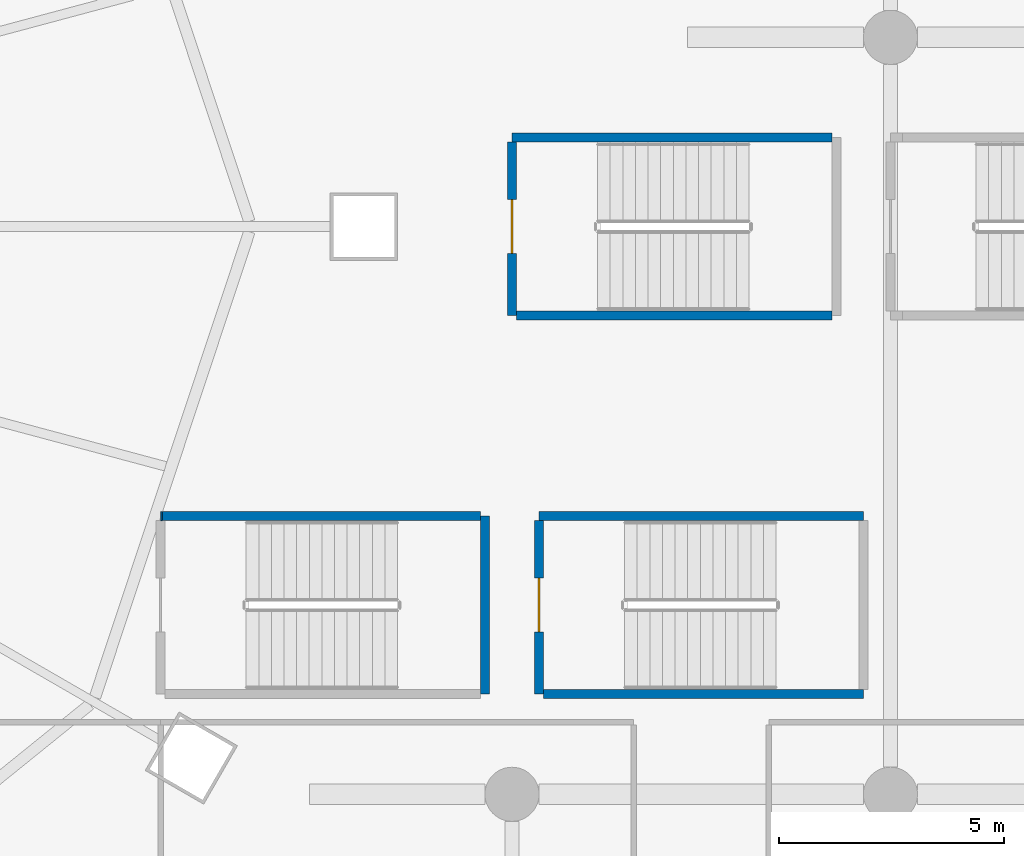
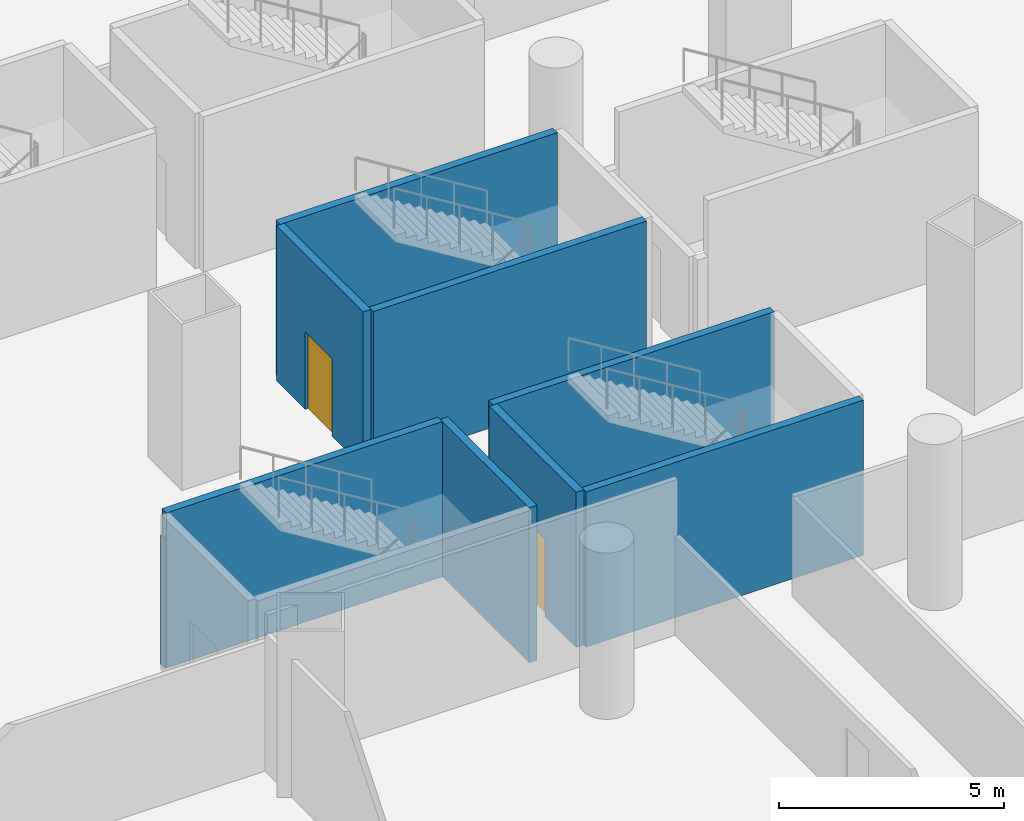
# One storey, part 29 of 43: 9 walls, 2 doors, 2 openings.
"""IFC4 building model written with IfcOpenShell, lengths in metres."""

from ifc_helpers import new_model, si_unit, direction, frame, frame_2d, origin, place, context, subcontext, project, spatial, rectangle, extrude, material, layer, layer_set, type_object, element, fill, save


model = new_model("IFC4")

# Units and contexts
model_context = context("Model", 3, precision=1e-05, world=origin(), true_north=direction((0.0, 1.0)))
body_context = subcontext(model_context, "Body", "Model", "MODEL_VIEW")
ifc_project = project(units=[si_unit("LENGTHUNIT", "METRE"), si_unit("AREAUNIT", "SQUARE_METRE"), si_unit("VOLUMEUNIT", "CUBIC_METRE"), si_unit("PLANEANGLEUNIT", "RADIAN"), si_unit("MASSUNIT", "GRAM", prefix="KILO")], contexts=[model_context])

# Site, building, storey
site_placement = place(None, origin())
site = spatial("IfcSite", under=ifc_project, at=site_placement, CompositionType="ELEMENT")
building_placement = place(site_placement, origin())
building = spatial("IfcBuilding", under=site, at=building_placement, Name="Rimbun Link Towers", CompositionType="ELEMENT")
storey_placement = place(building_placement, frame((0.0, 0.0, 12.0)))
storey = spatial("IfcBuildingStorey", under=building, at=storey_placement, Name="L02", CompositionType="ELEMENT", Elevation=12.0)

# Walls
ifc_material_1 = material(Name="Concrete C40/50", Category="concrete")
ifc_layer = layer(ifc_material_1, 0.199951171875)
ifc_layer_set = layer_set([ifc_layer], Name="Stair shaft wall 200")
wall_type = type_object("IfcWallType", Name="Stair shaft wall 200", PredefinedType="SOLIDWALL", material=ifc_layer_set)
wall_1_placement = place(storey_placement, frame((-4.800048828125, -10.375, 0.0), z_axis=(0.0, 0.0, 1.0), x_axis=(0.0, 1.0, 0.0)))
element("IfcWall", 1, at=wall_1_placement, inside=storey, type_object=wall_type, Name="PD/PW/L02/001", PredefinedType="SOLIDWALL", context=body_context, shape_type="SweptSolid", body=[
    extrude(rectangle(XDim=3.949951171875, YDim=0.199951171875, at=frame_2d((1.97509765625, 0.0))), origin(), (0.0, 0.0, 1.0), 4.199951171875),
])
wall_2_placement = place(storey_placement, frame((-4.89990234375, -6.425048828125, 0.0), z_axis=(0.0, 0.0, 1.0), x_axis=(-1.0, 0.0, 0.0)))
element("IfcWall", 2, at=wall_2_placement, inside=storey, type_object=wall_type, Name="PD/PW/L02/002", PredefinedType="SOLIDWALL", context=body_context, shape_type="SweptSolid", body=[
    extrude(rectangle(XDim=7.068359375, YDim=0.199951171875, at=frame_2d((3.5341796875, 0.0))), origin(), (0.0, 0.0, 1.0), 4.199951171875),
])
wall_3_placement = place(storey_placement, frame((-11.96826171875, -6.425048828125, 0.0), z_axis=(0.0, 0.0, 1.0), x_axis=(-1.0, 0.0, 0.0)))
element("IfcWall", 3, at=wall_3_placement, inside=storey, type_object=wall_type, Name="PD/PW/L02/002b", PredefinedType="SOLIDWALL", context=body_context, shape_type="SweptSolid", body=[
    extrude(rectangle(XDim=0.03173828125, YDim=0.199951171875, at=frame_2d((0.015869140625, 0.0))), origin(), (0.0, 0.0, 1.0), 3.49609375),
])
wall_4_placement = place(storey_placement, frame((3.60009765625, -6.425048828125, 0.0), z_axis=(0.0, 0.0, 1.0), x_axis=(-1.0, 0.0, 0.0)))
element("IfcWall", 4, at=wall_4_placement, inside=storey, type_object=wall_type, Name="PD/PW/L02/005", PredefinedType="SOLIDWALL", context=body_context, shape_type="SweptSolid", body=[
    extrude(rectangle(XDim=7.2001953125, YDim=0.199951171875, at=frame_2d((3.60009765625, 0.0))), origin(), (0.0, 0.0, 1.0), 4.199951171875),
])

# Wall, opening, door
wall_5_placement = place(storey_placement, frame((-3.60009765625, -6.52490234375, 0.0), z_axis=(0.0, 0.0, 1.0), x_axis=(0.0, -1.0, 0.0)))
wall_5 = element("IfcWall", 5, at=wall_5_placement, inside=storey, type_object=wall_type, Name="PD/PW/L02/006", PredefinedType="SOLIDWALL", context=body_context, shape_type="SweptSolid", body=[
    extrude(rectangle(XDim=3.85009765625, YDim=0.199951171875, at=frame_2d((1.925048828125, 0.0))), origin(), (0.0, 0.0, 1.0), 4.199951171875),
])
opening_1_placement = place(wall_5_placement, frame((1.27490234375, 0.0, 0.0)))
opening_1 = element("IfcOpeningElement", 6, at=opening_1_placement, cuts=wall_5, Name="Opening PD DS2", PredefinedType="OPENING", context=body_context, shape_type="SweptSolid", body=[
    extrude(rectangle(XDim=1.199951171875, YDim=2.10009765625, at=frame_2d((0.60009765625, 1.050048828125))), frame((0.0, 0.10986328125, 0.0), z_axis=(0.0, -1.0, 0.0), x_axis=(1.0, 0.0, 0.0)), (0.0, 0.0, 1.0), 0.219970703125),
])
ifc_material_2 = material(Name="Steel fire door set", Category="steel")
door_type = type_object("IfcDoorType", Name="Stair door", OperationType="SINGLE_SWING_LEFT", PredefinedType="DOOR", material=ifc_material_2)
door_1_placement = place(opening_1_placement, frame((1.199951171875, 0.0, 0.0), z_axis=(0.0, 0.0, 1.0), x_axis=(-1.0, 0.0, 0.0)))
door_1 = element("IfcDoor", 7, at=door_1_placement, inside=storey, type_object=door_type, Name="PD/DR/L02/S2", OperationType="SINGLE_SWING_LEFT", OverallHeight=2.10009765625, OverallWidth=1.199951171875, PredefinedType="DOOR", context=body_context, shape_type="SweptSolid", body=[
    extrude(rectangle(XDim=1.199951171875, YDim=2.10009765625, at=frame_2d((0.60009765625, 1.050048828125))), frame((0.0, 0.02490234375, 0.0), z_axis=(0.0, -1.0, 0.0), x_axis=(1.0, 0.0, 0.0)), (0.0, 0.0, 1.0), 0.050048828125),
])
fill(opening_1, door_1)

# Walls
wall_6_placement = place(storey_placement, frame((-3.5, -10.375, 0.0), z_axis=(0.0, 0.0, 1.0), x_axis=(1.0, 0.0, 0.0)))
element("IfcWall", 8, at=wall_6_placement, inside=storey, type_object=wall_type, Name="PD/PW/L02/007", PredefinedType="SOLIDWALL", context=body_context, shape_type="SweptSolid", body=[
    extrude(rectangle(XDim=7.10009765625, YDim=0.199951171875, at=frame_2d((3.550048828125, 0.0))), origin(), (0.0, 0.0, 1.0), 4.199951171875),
])
wall_7_placement = place(storey_placement, frame((2.89990234375, 1.97509765625, 0.0), z_axis=(0.0, 0.0, 1.0), x_axis=(-1.0, 0.0, 0.0)))
element("IfcWall", 9, at=wall_7_placement, inside=storey, type_object=wall_type, Name="PD/PW/L02/022", PredefinedType="SOLIDWALL", context=body_context, shape_type="SweptSolid", body=[
    extrude(rectangle(XDim=7.099853515625, YDim=0.199951171875, at=frame_2d((3.5498046875, 0.0))), origin(), (0.0, 0.0, 1.0), 4.199951171875),
])

# Wall, opening, door
wall_8_placement = place(storey_placement, frame((-4.199951171875, 1.875, 0.0), z_axis=(0.0, 0.0, 1.0), x_axis=(0.0, -1.0, 0.0)))
wall_8 = element("IfcWall", 10, at=wall_8_placement, inside=storey, type_object=wall_type, Name="PD/PW/L02/023", PredefinedType="SOLIDWALL", context=body_context, shape_type="SweptSolid", body=[
    extrude(rectangle(XDim=3.85009765625, YDim=0.199951171875, at=frame_2d((1.925048828125, 0.0))), origin(), (0.0, 0.0, 1.0), 4.199951171875),
])
opening_2_placement = place(wall_8_placement, frame((1.27490234375, 0.0, 0.0)))
opening_2 = element("IfcOpeningElement", 11, at=opening_2_placement, cuts=wall_8, Name="Opening PD DS6", PredefinedType="OPENING", context=body_context, shape_type="SweptSolid", body=[
    extrude(rectangle(XDim=1.199951171875, YDim=2.10009765625, at=frame_2d((0.60009765625, 1.050048828125))), frame((0.0, 0.10986328125, 0.0), z_axis=(0.0, -1.0, 0.0), x_axis=(1.0, 0.0, 0.0)), (0.0, 0.0, 1.0), 0.219970703125),
])
door_2_placement = place(opening_2_placement, frame((1.199951171875, 0.0, 0.0), z_axis=(0.0, 0.0, 1.0), x_axis=(-1.0, 0.0, 0.0)))
door_2 = element("IfcDoor", 12, at=door_2_placement, inside=storey, type_object=door_type, Name="PD/DR/L02/S6", OperationType="SINGLE_SWING_LEFT", OverallHeight=2.10009765625, OverallWidth=1.199951171875, PredefinedType="DOOR", context=body_context, shape_type="SweptSolid", body=[
    extrude(rectangle(XDim=1.199951171875, YDim=2.10009765625, at=frame_2d((0.60009765625, 1.050048828125))), frame((0.0, 0.02490234375, 0.0), z_axis=(0.0, -1.0, 0.0), x_axis=(1.0, 0.0, 0.0)), (0.0, 0.0, 1.0), 0.050048828125),
])
fill(opening_2, door_2)

# Wall
wall_9_placement = place(storey_placement, frame((-4.10009765625, -1.97509765625, 0.0), z_axis=(0.0, 0.0, 1.0), x_axis=(1.0, 0.0, 0.0)))
element("IfcWall", 13, at=wall_9_placement, inside=storey, type_object=wall_type, Name="PD/PW/L02/024", PredefinedType="SOLIDWALL", context=body_context, shape_type="SweptSolid", body=[
    extrude(rectangle(XDim=7.0, YDim=0.199951171875, at=frame_2d((3.5, 0.0))), origin(), (0.0, 0.0, 1.0), 4.199951171875),
])

save(model, "model.ifc")
